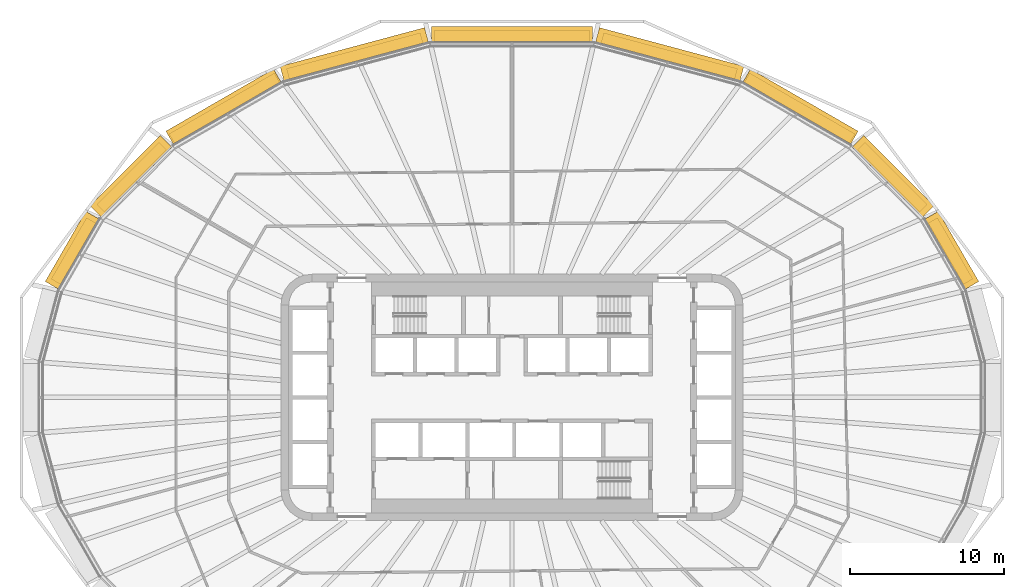
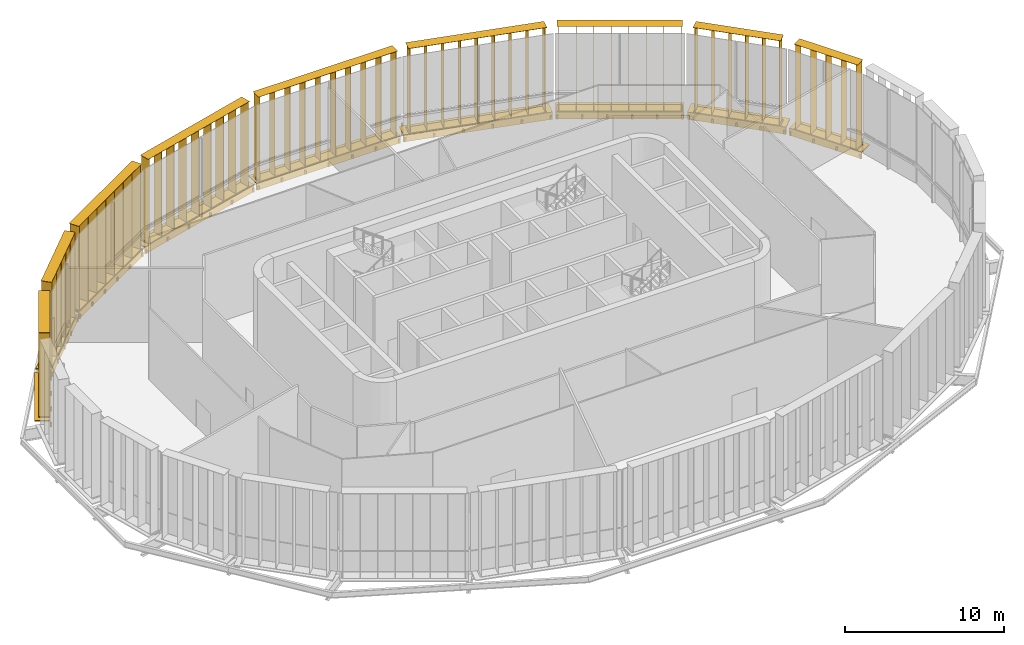
# One storey, part 18 of 18: 18 shading devices.
"""IFC4 building model written with IfcOpenShell, lengths in metres."""

from ifc_helpers import new_model, si_unit, direction, frame, origin, origin_2d, place, context, subcontext, project, spatial, rectangle, extrude, material, type_object, element, save


model = new_model("IFC4")

# Units and contexts
model_context = context("Model", 3, precision=1e-05, world=origin(), true_north=direction((0.0, 1.0)))
body_context = subcontext(model_context, "Body", "Model", "MODEL_VIEW")
ifc_project = project(units=[si_unit("LENGTHUNIT", "METRE"), si_unit("AREAUNIT", "SQUARE_METRE"), si_unit("VOLUMEUNIT", "CUBIC_METRE"), si_unit("PLANEANGLEUNIT", "RADIAN"), si_unit("MASSUNIT", "GRAM", prefix="KILO")], contexts=[model_context])

# Site, building, storey
site_placement = place(None, origin())
site = spatial("IfcSite", under=ifc_project, at=site_placement, CompositionType="ELEMENT")
building_placement = place(site_placement, origin())
building = spatial("IfcBuilding", under=site, at=building_placement, Name="Sahrelin Media Tower", CompositionType="ELEMENT")
storey_placement = place(building_placement, frame((0.0, 0.0, 203.0)))
storey = spatial("IfcBuildingStorey", under=building, at=storey_placement, Name="L43", CompositionType="ELEMENT", Elevation=203.0)

# Shading devices
ifc_material = material(Name="Champagne anodised aluminium 6063-T6", Category="aluminium")
shading_device_type_1 = type_object("IfcShadingDeviceType", Name="Fin cassette", PredefinedType="USERDEFINED", material=ifc_material)
placement_1 = place(storey_placement, frame((28.10498046875, 9.297119140625, 0.0), z_axis=(0.0, 0.0, 1.0), x_axis=(0.500011000363, -0.866019052629, 0.0)))
element("IfcShadingDevice", 1, at=placement_1, inside=storey, type_object=shading_device_type_1, Name="L43:FIN:L43-02", ObjectType="FIN", PredefinedType="USERDEFINED", context=body_context, shape_type="SweptSolid", body=[
    extrude(rectangle(XDim=4.60009765625, YDim=0.699951171875, at=origin_2d()), frame((0.0, 0.419921875, 0.0)), (0.0, 0.0, 1.0), 0.02001953125),
    extrude(rectangle(XDim=4.60009765625, YDim=0.699951171875, at=origin_2d()), frame((0.0, 0.419921875, 6.5)), (0.0, 0.0, 1.0), 0.02001953125),
    extrude(rectangle(XDim=0.02001953125, YDim=0.699951171875, at=origin_2d()), frame((-2.199951171875, 0.419921875, 0.010009765625), z_axis=(0.0, 0.0, 1.0), x_axis=(1.0, 0.0, 0.0)), (0.0, 0.0, 1.0), 6.5),
    extrude(rectangle(XDim=0.02001953125, YDim=0.699951171875, at=origin_2d()), frame((-1.10009765625, 0.419921875, 0.010009765625), z_axis=(0.0, 0.0, 1.0), x_axis=(1.0, 0.0, 0.0)), (0.0, 0.0, 1.0), 6.5),
    extrude(rectangle(XDim=0.02001953125, YDim=0.699951171875, at=origin_2d()), frame((0.0, 0.419921875, 0.010009765625), z_axis=(0.0, 0.0, 1.0), x_axis=(1.0, 0.0, 0.0)), (0.0, 0.0, 1.0), 6.5),
    extrude(rectangle(XDim=0.02001953125, YDim=0.699951171875, at=origin_2d()), frame((1.10009765625, 0.419921875, 0.010009765625), z_axis=(0.0, 0.0, 1.0), x_axis=(1.0, 0.0, 0.0)), (0.0, 0.0, 1.0), 6.5),
    extrude(rectangle(XDim=0.02001953125, YDim=0.699951171875, at=origin_2d()), frame((2.199951171875, 0.419921875, 0.010009765625), z_axis=(0.0, 0.0, 1.0), x_axis=(1.0, 0.0, 0.0)), (0.0, 0.0, 1.0), 6.5),
])
placement_2 = place(storey_placement, frame((24.3935546875, 14.00830078125, 0.0), z_axis=(0.0, 0.0, 1.0), x_axis=(0.707106781187, -0.707106781187, 0.0)))
element("IfcShadingDevice", 2, at=placement_2, inside=storey, type_object=shading_device_type_1, Name="L43:FIN:L43-03", ObjectType="FIN", PredefinedType="USERDEFINED", context=body_context, shape_type="SweptSolid", body=[
    extrude(rectangle(XDim=5.699951171875, YDim=0.699951171875, at=origin_2d()), frame((0.0, 0.419921875, 0.0)), (0.0, 0.0, 1.0), 0.02001953125),
    extrude(rectangle(XDim=5.699951171875, YDim=0.699951171875, at=origin_2d()), frame((0.0, 0.419921875, 6.5)), (0.0, 0.0, 1.0), 0.02001953125),
    extrude(rectangle(XDim=0.02001953125, YDim=0.699951171875, at=origin_2d()), frame((-2.75, 0.419921875, 0.010009765625), z_axis=(0.0, 0.0, 1.0), x_axis=(1.0, 0.0, 0.0)), (0.0, 0.0, 1.0), 6.5),
    extrude(rectangle(XDim=0.02001953125, YDim=0.699951171875, at=origin_2d()), frame((-1.64990234375, 0.419921875, 0.010009765625), z_axis=(0.0, 0.0, 1.0), x_axis=(1.0, 0.0, 0.0)), (0.0, 0.0, 1.0), 6.5),
    extrude(rectangle(XDim=0.02001953125, YDim=0.699951171875, at=origin_2d()), frame((-0.550048828125, 0.419921875, 0.010009765625), z_axis=(0.0, 0.0, 1.0), x_axis=(1.0, 0.0, 0.0)), (0.0, 0.0, 1.0), 6.5),
    extrude(rectangle(XDim=0.02001953125, YDim=0.699951171875, at=origin_2d()), frame((0.550048828125, 0.419921875, 0.010009765625), z_axis=(0.0, 0.0, 1.0), x_axis=(1.0, 0.0, 0.0)), (0.0, 0.0, 1.0), 6.5),
    extrude(rectangle(XDim=0.02001953125, YDim=0.699951171875, at=origin_2d()), frame((1.64990234375, 0.419921875, 0.010009765625), z_axis=(0.0, 0.0, 1.0), x_axis=(1.0, 0.0, 0.0)), (0.0, 0.0, 1.0), 6.5),
    extrude(rectangle(XDim=0.02001953125, YDim=0.699951171875, at=origin_2d()), frame((2.75, 0.419921875, 0.010009765625), z_axis=(0.0, 0.0, 1.0), x_axis=(1.0, 0.0, 0.0)), (0.0, 0.0, 1.0), 6.5),
])
placement_3 = place(storey_placement, frame((18.46728515625, 18.421142578125, 0.0), z_axis=(0.0, 0.0, 1.0), x_axis=(0.866019052629, -0.500011000363, 0.0)))
element("IfcShadingDevice", 3, at=placement_3, inside=storey, type_object=shading_device_type_1, Name="L43:FIN:L43-04", ObjectType="FIN", PredefinedType="USERDEFINED", context=body_context, shape_type="SweptSolid", body=[
    extrude(rectangle(XDim=7.89990234375, YDim=0.699951171875, at=origin_2d()), frame((0.0, 0.419921875, 0.0)), (0.0, 0.0, 1.0), 0.02001953125),
    extrude(rectangle(XDim=7.89990234375, YDim=0.699951171875, at=origin_2d()), frame((0.0, 0.419921875, 6.5)), (0.0, 0.0, 1.0), 0.02001953125),
    extrude(rectangle(XDim=0.02001953125, YDim=0.699951171875, at=origin_2d()), frame((-3.85009765625, 0.419921875, 0.010009765625), z_axis=(0.0, 0.0, 1.0), x_axis=(1.0, 0.0, 0.0)), (0.0, 0.0, 1.0), 6.5),
    extrude(rectangle(XDim=0.02001953125, YDim=0.699951171875, at=origin_2d()), frame((-2.75, 0.419921875, 0.010009765625), z_axis=(0.0, 0.0, 1.0), x_axis=(1.0, 0.0, 0.0)), (0.0, 0.0, 1.0), 6.5),
    extrude(rectangle(XDim=0.02001953125, YDim=0.699951171875, at=origin_2d()), frame((-1.64990234375, 0.419921875, 0.010009765625), z_axis=(0.0, 0.0, 1.0), x_axis=(1.0, 0.0, 0.0)), (0.0, 0.0, 1.0), 6.5),
    extrude(rectangle(XDim=0.02001953125, YDim=0.699951171875, at=origin_2d()), frame((-0.550048828125, 0.419921875, 0.010009765625), z_axis=(0.0, 0.0, 1.0), x_axis=(1.0, 0.0, 0.0)), (0.0, 0.0, 1.0), 6.5),
    extrude(rectangle(XDim=0.02001953125, YDim=0.699951171875, at=origin_2d()), frame((0.550048828125, 0.419921875, 0.010009765625), z_axis=(0.0, 0.0, 1.0), x_axis=(1.0, 0.0, 0.0)), (0.0, 0.0, 1.0), 6.5),
    extrude(rectangle(XDim=0.02001953125, YDim=0.699951171875, at=origin_2d()), frame((1.64990234375, 0.419921875, 0.010009765625), z_axis=(0.0, 0.0, 1.0), x_axis=(1.0, 0.0, 0.0)), (0.0, 0.0, 1.0), 6.5),
    extrude(rectangle(XDim=0.02001953125, YDim=0.699951171875, at=origin_2d()), frame((2.75, 0.419921875, 0.010009765625), z_axis=(0.0, 0.0, 1.0), x_axis=(1.0, 0.0, 0.0)), (0.0, 0.0, 1.0), 6.5),
    extrude(rectangle(XDim=0.02001953125, YDim=0.699951171875, at=origin_2d()), frame((3.85009765625, 0.419921875, 0.010009765625), z_axis=(0.0, 0.0, 1.0), x_axis=(1.0, 0.0, 0.0)), (0.0, 0.0, 1.0), 6.5),
])
placement_4 = place(storey_placement, frame((10.102294921875, 21.770263671875, 0.0), z_axis=(0.0, 0.0, 1.0), x_axis=(0.965928857556, -0.258807731996, 0.0)))
element("IfcShadingDevice", 4, at=placement_4, inside=storey, type_object=shading_device_type_1, Name="L43:FIN:L43-05", ObjectType="FIN", PredefinedType="USERDEFINED", context=body_context, shape_type="SweptSolid", body=[
    extrude(rectangle(XDim=9.0, YDim=0.699951171875, at=origin_2d()), frame((0.0, 0.419921875, 0.0)), (0.0, 0.0, 1.0), 0.02001953125),
    extrude(rectangle(XDim=9.0, YDim=0.699951171875, at=origin_2d()), frame((0.0, 0.419921875, 6.5)), (0.0, 0.0, 1.0), 0.02001953125),
    extrude(rectangle(XDim=0.02001953125, YDim=0.699951171875, at=origin_2d()), frame((-4.39990234375, 0.419921875, 0.010009765625), z_axis=(0.0, 0.0, 1.0), x_axis=(1.0, 0.0, 0.0)), (0.0, 0.0, 1.0), 6.5),
    extrude(rectangle(XDim=0.02001953125, YDim=0.699951171875, at=origin_2d()), frame((-3.300048828125, 0.419921875, 0.010009765625), z_axis=(0.0, 0.0, 1.0), x_axis=(1.0, 0.0, 0.0)), (0.0, 0.0, 1.0), 6.5),
    extrude(rectangle(XDim=0.02001953125, YDim=0.699951171875, at=origin_2d()), frame((-2.199951171875, 0.419921875, 0.010009765625), z_axis=(0.0, 0.0, 1.0), x_axis=(1.0, 0.0, 0.0)), (0.0, 0.0, 1.0), 6.5),
    extrude(rectangle(XDim=0.02001953125, YDim=0.699951171875, at=origin_2d()), frame((-1.10009765625, 0.419921875, 0.010009765625), z_axis=(0.0, 0.0, 1.0), x_axis=(1.0, 0.0, 0.0)), (0.0, 0.0, 1.0), 6.5),
    extrude(rectangle(XDim=0.02001953125, YDim=0.699951171875, at=origin_2d()), frame((0.0, 0.419921875, 0.010009765625), z_axis=(0.0, 0.0, 1.0), x_axis=(1.0, 0.0, 0.0)), (0.0, 0.0, 1.0), 6.5),
    extrude(rectangle(XDim=0.02001953125, YDim=0.699951171875, at=origin_2d()), frame((1.10009765625, 0.419921875, 0.010009765625), z_axis=(0.0, 0.0, 1.0), x_axis=(1.0, 0.0, 0.0)), (0.0, 0.0, 1.0), 6.5),
    extrude(rectangle(XDim=0.02001953125, YDim=0.699951171875, at=origin_2d()), frame((2.199951171875, 0.419921875, 0.010009765625), z_axis=(0.0, 0.0, 1.0), x_axis=(1.0, 0.0, 0.0)), (0.0, 0.0, 1.0), 6.5),
    extrude(rectangle(XDim=0.02001953125, YDim=0.699951171875, at=origin_2d()), frame((3.300048828125, 0.419921875, 0.010009765625), z_axis=(0.0, 0.0, 1.0), x_axis=(1.0, 0.0, 0.0)), (0.0, 0.0, 1.0), 6.5),
    extrude(rectangle(XDim=0.02001953125, YDim=0.699951171875, at=origin_2d()), frame((4.39990234375, 0.419921875, 0.010009765625), z_axis=(0.0, 0.0, 1.0), x_axis=(1.0, 0.0, 0.0)), (0.0, 0.0, 1.0), 6.5),
])
placement_5 = place(storey_placement, frame((0.0, 23.052490234375, 0.0), z_axis=(0.0, 0.0, 1.0), x_axis=(1.0, 0.0, 0.0)))
element("IfcShadingDevice", 5, at=placement_5, inside=storey, type_object=shading_device_type_1, Name="L43:FIN:L43-06", ObjectType="FIN", PredefinedType="USERDEFINED", context=body_context, shape_type="SweptSolid", body=[
    extrude(rectangle(XDim=10.10009765625, YDim=0.699951171875, at=origin_2d()), frame((0.0, 0.419921875, 0.0)), (0.0, 0.0, 1.0), 0.02001953125),
    extrude(rectangle(XDim=10.10009765625, YDim=0.699951171875, at=origin_2d()), frame((0.0, 0.419921875, 6.5)), (0.0, 0.0, 1.0), 0.02001953125),
    extrude(rectangle(XDim=0.02001953125, YDim=0.699951171875, at=origin_2d()), frame((-4.949951171875, 0.419921875, 0.010009765625), z_axis=(0.0, 0.0, 1.0), x_axis=(1.0, 0.0, 0.0)), (0.0, 0.0, 1.0), 6.5),
    extrude(rectangle(XDim=0.02001953125, YDim=0.699951171875, at=origin_2d()), frame((-3.85009765625, 0.419921875, 0.010009765625), z_axis=(0.0, 0.0, 1.0), x_axis=(1.0, 0.0, 0.0)), (0.0, 0.0, 1.0), 6.5),
    extrude(rectangle(XDim=0.02001953125, YDim=0.699951171875, at=origin_2d()), frame((-2.75, 0.419921875, 0.010009765625), z_axis=(0.0, 0.0, 1.0), x_axis=(1.0, 0.0, 0.0)), (0.0, 0.0, 1.0), 6.5),
    extrude(rectangle(XDim=0.02001953125, YDim=0.699951171875, at=origin_2d()), frame((-1.64990234375, 0.419921875, 0.010009765625), z_axis=(0.0, 0.0, 1.0), x_axis=(1.0, 0.0, 0.0)), (0.0, 0.0, 1.0), 6.5),
    extrude(rectangle(XDim=0.02001953125, YDim=0.699951171875, at=origin_2d()), frame((-0.550048828125, 0.419921875, 0.010009765625), z_axis=(0.0, 0.0, 1.0), x_axis=(1.0, 0.0, 0.0)), (0.0, 0.0, 1.0), 6.5),
    extrude(rectangle(XDim=0.02001953125, YDim=0.699951171875, at=origin_2d()), frame((0.550048828125, 0.419921875, 0.010009765625), z_axis=(0.0, 0.0, 1.0), x_axis=(1.0, 0.0, 0.0)), (0.0, 0.0, 1.0), 6.5),
    extrude(rectangle(XDim=0.02001953125, YDim=0.699951171875, at=origin_2d()), frame((1.64990234375, 0.419921875, 0.010009765625), z_axis=(0.0, 0.0, 1.0), x_axis=(1.0, 0.0, 0.0)), (0.0, 0.0, 1.0), 6.5),
    extrude(rectangle(XDim=0.02001953125, YDim=0.699951171875, at=origin_2d()), frame((2.75, 0.419921875, 0.010009765625), z_axis=(0.0, 0.0, 1.0), x_axis=(1.0, 0.0, 0.0)), (0.0, 0.0, 1.0), 6.5),
    extrude(rectangle(XDim=0.02001953125, YDim=0.699951171875, at=origin_2d()), frame((3.85009765625, 0.419921875, 0.010009765625), z_axis=(0.0, 0.0, 1.0), x_axis=(1.0, 0.0, 0.0)), (0.0, 0.0, 1.0), 6.5),
    extrude(rectangle(XDim=0.02001953125, YDim=0.699951171875, at=origin_2d()), frame((4.949951171875, 0.419921875, 0.010009765625), z_axis=(0.0, 0.0, 1.0), x_axis=(1.0, 0.0, 0.0)), (0.0, 0.0, 1.0), 6.5),
])
placement_6 = place(storey_placement, frame((-10.102294921875, 21.7705078125, 0.0), z_axis=(0.0, 0.0, 1.0), x_axis=(0.965928857556, 0.258807731996, 0.0)))
element("IfcShadingDevice", 6, at=placement_6, inside=storey, type_object=shading_device_type_1, Name="L43:FIN:L43-07", ObjectType="FIN", PredefinedType="USERDEFINED", context=body_context, shape_type="SweptSolid", body=[
    extrude(rectangle(XDim=9.0, YDim=0.699951171875, at=origin_2d()), frame((0.0, 0.419921875, 0.0)), (0.0, 0.0, 1.0), 0.02001953125),
    extrude(rectangle(XDim=9.0, YDim=0.699951171875, at=origin_2d()), frame((0.0, 0.419921875, 6.5)), (0.0, 0.0, 1.0), 0.02001953125),
    extrude(rectangle(XDim=0.02001953125, YDim=0.699951171875, at=origin_2d()), frame((-4.39990234375, 0.419921875, 0.010009765625), z_axis=(0.0, 0.0, 1.0), x_axis=(1.0, 0.0, 0.0)), (0.0, 0.0, 1.0), 6.5),
    extrude(rectangle(XDim=0.02001953125, YDim=0.699951171875, at=origin_2d()), frame((-3.300048828125, 0.419921875, 0.010009765625), z_axis=(0.0, 0.0, 1.0), x_axis=(1.0, 0.0, 0.0)), (0.0, 0.0, 1.0), 6.5),
    extrude(rectangle(XDim=0.02001953125, YDim=0.699951171875, at=origin_2d()), frame((-2.199951171875, 0.419921875, 0.010009765625), z_axis=(0.0, 0.0, 1.0), x_axis=(1.0, 0.0, 0.0)), (0.0, 0.0, 1.0), 6.5),
    extrude(rectangle(XDim=0.02001953125, YDim=0.699951171875, at=origin_2d()), frame((-1.10009765625, 0.419921875, 0.010009765625), z_axis=(0.0, 0.0, 1.0), x_axis=(1.0, 0.0, 0.0)), (0.0, 0.0, 1.0), 6.5),
    extrude(rectangle(XDim=0.02001953125, YDim=0.699951171875, at=origin_2d()), frame((0.0, 0.419921875, 0.010009765625), z_axis=(0.0, 0.0, 1.0), x_axis=(1.0, 0.0, 0.0)), (0.0, 0.0, 1.0), 6.5),
    extrude(rectangle(XDim=0.02001953125, YDim=0.699951171875, at=origin_2d()), frame((1.10009765625, 0.419921875, 0.010009765625), z_axis=(0.0, 0.0, 1.0), x_axis=(1.0, 0.0, 0.0)), (0.0, 0.0, 1.0), 6.5),
    extrude(rectangle(XDim=0.02001953125, YDim=0.699951171875, at=origin_2d()), frame((2.199951171875, 0.419921875, 0.010009765625), z_axis=(0.0, 0.0, 1.0), x_axis=(1.0, 0.0, 0.0)), (0.0, 0.0, 1.0), 6.5),
    extrude(rectangle(XDim=0.02001953125, YDim=0.699951171875, at=origin_2d()), frame((3.300048828125, 0.419921875, 0.010009765625), z_axis=(0.0, 0.0, 1.0), x_axis=(1.0, 0.0, 0.0)), (0.0, 0.0, 1.0), 6.5),
    extrude(rectangle(XDim=0.02001953125, YDim=0.699951171875, at=origin_2d()), frame((4.39990234375, 0.419921875, 0.010009765625), z_axis=(0.0, 0.0, 1.0), x_axis=(1.0, 0.0, 0.0)), (0.0, 0.0, 1.0), 6.5),
])
placement_7 = place(storey_placement, frame((-18.46728515625, 18.421142578125, 0.0), z_axis=(0.0, 0.0, 1.0), x_axis=(0.866019052629, 0.500011000363, 0.0)))
element("IfcShadingDevice", 7, at=placement_7, inside=storey, type_object=shading_device_type_1, Name="L43:FIN:L43-08", ObjectType="FIN", PredefinedType="USERDEFINED", context=body_context, shape_type="SweptSolid", body=[
    extrude(rectangle(XDim=7.89990234375, YDim=0.699951171875, at=origin_2d()), frame((0.0, 0.419921875, 0.0)), (0.0, 0.0, 1.0), 0.02001953125),
    extrude(rectangle(XDim=7.89990234375, YDim=0.699951171875, at=origin_2d()), frame((0.0, 0.419921875, 6.5)), (0.0, 0.0, 1.0), 0.02001953125),
    extrude(rectangle(XDim=0.02001953125, YDim=0.699951171875, at=origin_2d()), frame((-3.85009765625, 0.419921875, 0.010009765625), z_axis=(0.0, 0.0, 1.0), x_axis=(1.0, 0.0, 0.0)), (0.0, 0.0, 1.0), 6.5),
    extrude(rectangle(XDim=0.02001953125, YDim=0.699951171875, at=origin_2d()), frame((-2.75, 0.419921875, 0.010009765625), z_axis=(0.0, 0.0, 1.0), x_axis=(1.0, 0.0, 0.0)), (0.0, 0.0, 1.0), 6.5),
    extrude(rectangle(XDim=0.02001953125, YDim=0.699951171875, at=origin_2d()), frame((-1.64990234375, 0.419921875, 0.010009765625), z_axis=(0.0, 0.0, 1.0), x_axis=(1.0, 0.0, 0.0)), (0.0, 0.0, 1.0), 6.5),
    extrude(rectangle(XDim=0.02001953125, YDim=0.699951171875, at=origin_2d()), frame((-0.550048828125, 0.419921875, 0.010009765625), z_axis=(0.0, 0.0, 1.0), x_axis=(1.0, 0.0, 0.0)), (0.0, 0.0, 1.0), 6.5),
    extrude(rectangle(XDim=0.02001953125, YDim=0.699951171875, at=origin_2d()), frame((0.550048828125, 0.419921875, 0.010009765625), z_axis=(0.0, 0.0, 1.0), x_axis=(1.0, 0.0, 0.0)), (0.0, 0.0, 1.0), 6.5),
    extrude(rectangle(XDim=0.02001953125, YDim=0.699951171875, at=origin_2d()), frame((1.64990234375, 0.419921875, 0.010009765625), z_axis=(0.0, 0.0, 1.0), x_axis=(1.0, 0.0, 0.0)), (0.0, 0.0, 1.0), 6.5),
    extrude(rectangle(XDim=0.02001953125, YDim=0.699951171875, at=origin_2d()), frame((2.75, 0.419921875, 0.010009765625), z_axis=(0.0, 0.0, 1.0), x_axis=(1.0, 0.0, 0.0)), (0.0, 0.0, 1.0), 6.5),
    extrude(rectangle(XDim=0.02001953125, YDim=0.699951171875, at=origin_2d()), frame((3.85009765625, 0.419921875, 0.010009765625), z_axis=(0.0, 0.0, 1.0), x_axis=(1.0, 0.0, 0.0)), (0.0, 0.0, 1.0), 6.5),
])
placement_8 = place(storey_placement, frame((-24.3935546875, 14.00830078125, 0.0), z_axis=(0.0, 0.0, 1.0), x_axis=(0.707106781187, 0.707106781187, 0.0)))
element("IfcShadingDevice", 8, at=placement_8, inside=storey, type_object=shading_device_type_1, Name="L43:FIN:L43-09", ObjectType="FIN", PredefinedType="USERDEFINED", context=body_context, shape_type="SweptSolid", body=[
    extrude(rectangle(XDim=5.699951171875, YDim=0.699951171875, at=origin_2d()), frame((0.0, 0.419921875, 0.0)), (0.0, 0.0, 1.0), 0.02001953125),
    extrude(rectangle(XDim=5.699951171875, YDim=0.699951171875, at=origin_2d()), frame((0.0, 0.419921875, 6.5)), (0.0, 0.0, 1.0), 0.02001953125),
    extrude(rectangle(XDim=0.02001953125, YDim=0.699951171875, at=origin_2d()), frame((-2.75, 0.419921875, 0.010009765625), z_axis=(0.0, 0.0, 1.0), x_axis=(1.0, 0.0, 0.0)), (0.0, 0.0, 1.0), 6.5),
    extrude(rectangle(XDim=0.02001953125, YDim=0.699951171875, at=origin_2d()), frame((-1.64990234375, 0.419921875, 0.010009765625), z_axis=(0.0, 0.0, 1.0), x_axis=(1.0, 0.0, 0.0)), (0.0, 0.0, 1.0), 6.5),
    extrude(rectangle(XDim=0.02001953125, YDim=0.699951171875, at=origin_2d()), frame((-0.550048828125, 0.419921875, 0.010009765625), z_axis=(0.0, 0.0, 1.0), x_axis=(1.0, 0.0, 0.0)), (0.0, 0.0, 1.0), 6.5),
    extrude(rectangle(XDim=0.02001953125, YDim=0.699951171875, at=origin_2d()), frame((0.550048828125, 0.419921875, 0.010009765625), z_axis=(0.0, 0.0, 1.0), x_axis=(1.0, 0.0, 0.0)), (0.0, 0.0, 1.0), 6.5),
    extrude(rectangle(XDim=0.02001953125, YDim=0.699951171875, at=origin_2d()), frame((1.64990234375, 0.419921875, 0.010009765625), z_axis=(0.0, 0.0, 1.0), x_axis=(1.0, 0.0, 0.0)), (0.0, 0.0, 1.0), 6.5),
    extrude(rectangle(XDim=0.02001953125, YDim=0.699951171875, at=origin_2d()), frame((2.75, 0.419921875, 0.010009765625), z_axis=(0.0, 0.0, 1.0), x_axis=(1.0, 0.0, 0.0)), (0.0, 0.0, 1.0), 6.5),
])
placement_9 = place(storey_placement, frame((-28.10498046875, 9.297119140625, 0.0), z_axis=(0.0, 0.0, 1.0), x_axis=(0.500011000363, 0.866019052629, 0.0)))
element("IfcShadingDevice", 9, at=placement_9, inside=storey, type_object=shading_device_type_1, Name="L43:FIN:L43-10", ObjectType="FIN", PredefinedType="USERDEFINED", context=body_context, shape_type="SweptSolid", body=[
    extrude(rectangle(XDim=4.60009765625, YDim=0.699951171875, at=origin_2d()), frame((0.0, 0.419921875, 0.0)), (0.0, 0.0, 1.0), 0.02001953125),
    extrude(rectangle(XDim=4.60009765625, YDim=0.699951171875, at=origin_2d()), frame((0.0, 0.419921875, 6.5)), (0.0, 0.0, 1.0), 0.02001953125),
    extrude(rectangle(XDim=0.02001953125, YDim=0.699951171875, at=origin_2d()), frame((-2.199951171875, 0.419921875, 0.010009765625), z_axis=(0.0, 0.0, 1.0), x_axis=(1.0, 0.0, 0.0)), (0.0, 0.0, 1.0), 6.5),
    extrude(rectangle(XDim=0.02001953125, YDim=0.699951171875, at=origin_2d()), frame((-1.10009765625, 0.419921875, 0.010009765625), z_axis=(0.0, 0.0, 1.0), x_axis=(1.0, 0.0, 0.0)), (0.0, 0.0, 1.0), 6.5),
    extrude(rectangle(XDim=0.02001953125, YDim=0.699951171875, at=origin_2d()), frame((0.0, 0.419921875, 0.010009765625), z_axis=(0.0, 0.0, 1.0), x_axis=(1.0, 0.0, 0.0)), (0.0, 0.0, 1.0), 6.5),
    extrude(rectangle(XDim=0.02001953125, YDim=0.699951171875, at=origin_2d()), frame((1.10009765625, 0.419921875, 0.010009765625), z_axis=(0.0, 0.0, 1.0), x_axis=(1.0, 0.0, 0.0)), (0.0, 0.0, 1.0), 6.5),
    extrude(rectangle(XDim=0.02001953125, YDim=0.699951171875, at=origin_2d()), frame((2.199951171875, 0.419921875, 0.010009765625), z_axis=(0.0, 0.0, 1.0), x_axis=(1.0, 0.0, 0.0)), (0.0, 0.0, 1.0), 6.5),
])
shading_device_type_2 = type_object("IfcShadingDeviceType", Name="Sunshade band", PredefinedType="USERDEFINED", material=ifc_material)
element("IfcShadingDevice", 10, at=placement_1, inside=storey, type_object=shading_device_type_2, Name="L43:SUN:L43-02", ObjectType="SUNSHADE", PredefinedType="USERDEFINED", context=body_context, shape_type="SweptSolid", body=[
    extrude(rectangle(XDim=5.261962890625, YDim=0.050048828125, at=origin_2d()), frame((0.0, 0.044921875, -0.55126953125)), (0.0, 0.0, 1.0), 0.471435546875),
    extrude(rectangle(XDim=5.261962890625, YDim=1.0, at=origin_2d()), frame((0.0, 0.52001953125, -0.080078125)), (0.0, 0.0, 1.0), 0.080078125),
    extrude(rectangle(XDim=0.10009765625, YDim=0.074951171875, at=origin_2d()), frame((-2.531005859375, -0.017578125, -0.52001953125)), (0.0, 0.0, 1.0), 0.300048828125),
    extrude(rectangle(XDim=0.10009765625, YDim=0.074951171875, at=origin_2d()), frame((-0.84375, -0.017578125, -0.52001953125)), (0.0, 0.0, 1.0), 0.300048828125),
    extrude(rectangle(XDim=0.10009765625, YDim=0.074951171875, at=origin_2d()), frame((0.84375, -0.017578125, -0.52001953125)), (0.0, 0.0, 1.0), 0.300048828125),
    extrude(rectangle(XDim=0.10009765625, YDim=0.074951171875, at=origin_2d()), frame((2.531005859375, -0.017578125, -0.52001953125)), (0.0, 0.0, 1.0), 0.300048828125),
])
element("IfcShadingDevice", 11, at=placement_2, inside=storey, type_object=shading_device_type_2, Name="L43:SUN:L43-03", ObjectType="SUNSHADE", PredefinedType="USERDEFINED", context=body_context, shape_type="SweptSolid", body=[
    extrude(rectangle(XDim=6.435302734375, YDim=0.050048828125, at=origin_2d()), frame((0.0, 0.044921875, -0.55126953125)), (0.0, 0.0, 1.0), 0.471435546875),
    extrude(rectangle(XDim=6.435302734375, YDim=1.0, at=origin_2d()), frame((0.0, 0.52001953125, -0.080078125)), (0.0, 0.0, 1.0), 0.080078125),
    extrude(rectangle(XDim=0.10009765625, YDim=0.074951171875, at=origin_2d()), frame((-3.11767578125, -0.017578125, -0.52001953125)), (0.0, 0.0, 1.0), 0.300048828125),
    extrude(rectangle(XDim=0.10009765625, YDim=0.074951171875, at=origin_2d()), frame((-1.558837890625, -0.017578125, -0.52001953125)), (0.0, 0.0, 1.0), 0.300048828125),
    extrude(rectangle(XDim=0.10009765625, YDim=0.074951171875, at=origin_2d()), frame((0.0, -0.017578125, -0.52001953125)), (0.0, 0.0, 1.0), 0.300048828125),
    extrude(rectangle(XDim=0.10009765625, YDim=0.074951171875, at=origin_2d()), frame((1.558837890625, -0.017578125, -0.52001953125)), (0.0, 0.0, 1.0), 0.300048828125),
    extrude(rectangle(XDim=0.10009765625, YDim=0.074951171875, at=origin_2d()), frame((3.11767578125, -0.017578125, -0.52001953125)), (0.0, 0.0, 1.0), 0.300048828125),
])
element("IfcShadingDevice", 12, at=placement_3, inside=storey, type_object=shading_device_type_2, Name="L43:SUN:L43-04", ObjectType="SUNSHADE", PredefinedType="USERDEFINED", context=body_context, shape_type="SweptSolid", body=[
    extrude(rectangle(XDim=8.068359375, YDim=0.050048828125, at=origin_2d()), frame((0.0, 0.044921875, -0.55126953125)), (0.0, 0.0, 1.0), 0.471435546875),
    extrude(rectangle(XDim=8.068359375, YDim=1.0, at=origin_2d()), frame((0.0, 0.52001953125, -0.080078125)), (0.0, 0.0, 1.0), 0.080078125),
    extrude(rectangle(XDim=0.10009765625, YDim=0.074951171875, at=origin_2d()), frame((-3.93408203125, -0.017578125, -0.52001953125)), (0.0, 0.0, 1.0), 0.300048828125),
    extrude(rectangle(XDim=0.10009765625, YDim=0.074951171875, at=origin_2d()), frame((-2.360595703125, -0.017578125, -0.52001953125)), (0.0, 0.0, 1.0), 0.300048828125),
    extrude(rectangle(XDim=0.10009765625, YDim=0.074951171875, at=origin_2d()), frame((-0.786865234375, -0.017578125, -0.52001953125)), (0.0, 0.0, 1.0), 0.300048828125),
    extrude(rectangle(XDim=0.10009765625, YDim=0.074951171875, at=origin_2d()), frame((0.786865234375, -0.017578125, -0.52001953125)), (0.0, 0.0, 1.0), 0.300048828125),
    extrude(rectangle(XDim=0.10009765625, YDim=0.074951171875, at=origin_2d()), frame((2.360595703125, -0.017578125, -0.52001953125)), (0.0, 0.0, 1.0), 0.300048828125),
    extrude(rectangle(XDim=0.10009765625, YDim=0.074951171875, at=origin_2d()), frame((3.93408203125, -0.017578125, -0.52001953125)), (0.0, 0.0, 1.0), 0.300048828125),
])
element("IfcShadingDevice", 13, at=placement_4, inside=storey, type_object=shading_device_type_2, Name="L43:SUN:L43-05", ObjectType="SUNSHADE", PredefinedType="USERDEFINED", context=body_context, shape_type="SweptSolid", body=[
    extrude(rectangle(XDim=9.706787109375, YDim=0.050048828125, at=origin_2d()), frame((0.0, 0.044921875, -0.55126953125)), (0.0, 0.0, 1.0), 0.471435546875),
    extrude(rectangle(XDim=9.706787109375, YDim=1.0, at=origin_2d()), frame((0.0, 0.52001953125, -0.080078125)), (0.0, 0.0, 1.0), 0.080078125),
    extrude(rectangle(XDim=0.10009765625, YDim=0.074951171875, at=origin_2d()), frame((-4.75341796875, -0.017578125, -0.52001953125)), (0.0, 0.0, 1.0), 0.300048828125),
    extrude(rectangle(XDim=0.10009765625, YDim=0.074951171875, at=origin_2d()), frame((-2.85205078125, -0.017578125, -0.52001953125)), (0.0, 0.0, 1.0), 0.300048828125),
    extrude(rectangle(XDim=0.10009765625, YDim=0.074951171875, at=origin_2d()), frame((-0.95068359375, -0.017578125, -0.52001953125)), (0.0, 0.0, 1.0), 0.300048828125),
    extrude(rectangle(XDim=0.10009765625, YDim=0.074951171875, at=origin_2d()), frame((0.95068359375, -0.017578125, -0.52001953125)), (0.0, 0.0, 1.0), 0.300048828125),
    extrude(rectangle(XDim=0.10009765625, YDim=0.074951171875, at=origin_2d()), frame((2.85205078125, -0.017578125, -0.52001953125)), (0.0, 0.0, 1.0), 0.300048828125),
    extrude(rectangle(XDim=0.10009765625, YDim=0.074951171875, at=origin_2d()), frame((4.75341796875, -0.017578125, -0.52001953125)), (0.0, 0.0, 1.0), 0.300048828125),
])
element("IfcShadingDevice", 14, at=placement_5, inside=storey, type_object=shading_device_type_2, Name="L43:SUN:L43-06", ObjectType="SUNSHADE", PredefinedType="USERDEFINED", context=body_context, shape_type="SweptSolid", body=[
    extrude(rectangle(XDim=10.435546875, YDim=0.050048828125, at=origin_2d()), frame((0.0, 0.044921875, -0.55126953125)), (0.0, 0.0, 1.0), 0.471435546875),
    extrude(rectangle(XDim=10.435546875, YDim=1.0, at=origin_2d()), frame((0.0, 0.52001953125, -0.080078125)), (0.0, 0.0, 1.0), 0.080078125),
    extrude(rectangle(XDim=0.10009765625, YDim=0.074951171875, at=origin_2d()), frame((-5.117919921875, -0.017578125, -0.52001953125)), (0.0, 0.0, 1.0), 0.300048828125),
    extrude(rectangle(XDim=0.10009765625, YDim=0.074951171875, at=origin_2d()), frame((-3.411865234375, -0.017578125, -0.52001953125)), (0.0, 0.0, 1.0), 0.300048828125),
    extrude(rectangle(XDim=0.10009765625, YDim=0.074951171875, at=origin_2d()), frame((-1.705810546875, -0.017578125, -0.52001953125)), (0.0, 0.0, 1.0), 0.300048828125),
    extrude(rectangle(XDim=0.10009765625, YDim=0.074951171875, at=origin_2d()), frame((0.0, -0.017578125, -0.52001953125)), (0.0, 0.0, 1.0), 0.300048828125),
    extrude(rectangle(XDim=0.10009765625, YDim=0.074951171875, at=origin_2d()), frame((1.705810546875, -0.017578125, -0.52001953125)), (0.0, 0.0, 1.0), 0.300048828125),
    extrude(rectangle(XDim=0.10009765625, YDim=0.074951171875, at=origin_2d()), frame((3.411865234375, -0.017578125, -0.52001953125)), (0.0, 0.0, 1.0), 0.300048828125),
    extrude(rectangle(XDim=0.10009765625, YDim=0.074951171875, at=origin_2d()), frame((5.117919921875, -0.017578125, -0.52001953125)), (0.0, 0.0, 1.0), 0.300048828125),
])
element("IfcShadingDevice", 15, at=placement_6, inside=storey, type_object=shading_device_type_2, Name="L43:SUN:L43-07", ObjectType="SUNSHADE", PredefinedType="USERDEFINED", context=body_context, shape_type="SweptSolid", body=[
    extrude(rectangle(XDim=9.706787109375, YDim=0.050048828125, at=origin_2d()), frame((0.0, 0.044921875, -0.55126953125)), (0.0, 0.0, 1.0), 0.471435546875),
    extrude(rectangle(XDim=9.706787109375, YDim=1.0, at=origin_2d()), frame((0.0, 0.52001953125, -0.080078125)), (0.0, 0.0, 1.0), 0.080078125),
    extrude(rectangle(XDim=0.10009765625, YDim=0.074951171875, at=origin_2d()), frame((-4.75341796875, -0.017578125, -0.52001953125)), (0.0, 0.0, 1.0), 0.300048828125),
    extrude(rectangle(XDim=0.10009765625, YDim=0.074951171875, at=origin_2d()), frame((-2.85205078125, -0.017578125, -0.52001953125)), (0.0, 0.0, 1.0), 0.300048828125),
    extrude(rectangle(XDim=0.10009765625, YDim=0.074951171875, at=origin_2d()), frame((-0.95068359375, -0.017578125, -0.52001953125)), (0.0, 0.0, 1.0), 0.300048828125),
    extrude(rectangle(XDim=0.10009765625, YDim=0.074951171875, at=origin_2d()), frame((0.95068359375, -0.017578125, -0.52001953125)), (0.0, 0.0, 1.0), 0.300048828125),
    extrude(rectangle(XDim=0.10009765625, YDim=0.074951171875, at=origin_2d()), frame((2.85205078125, -0.017578125, -0.52001953125)), (0.0, 0.0, 1.0), 0.300048828125),
    extrude(rectangle(XDim=0.10009765625, YDim=0.074951171875, at=origin_2d()), frame((4.75341796875, -0.017578125, -0.52001953125)), (0.0, 0.0, 1.0), 0.300048828125),
])
element("IfcShadingDevice", 16, at=placement_7, inside=storey, type_object=shading_device_type_2, Name="L43:SUN:L43-08", ObjectType="SUNSHADE", PredefinedType="USERDEFINED", context=body_context, shape_type="SweptSolid", body=[
    extrude(rectangle(XDim=8.068359375, YDim=0.050048828125, at=origin_2d()), frame((0.0, 0.044921875, -0.55126953125)), (0.0, 0.0, 1.0), 0.471435546875),
    extrude(rectangle(XDim=8.068359375, YDim=1.0, at=origin_2d()), frame((0.0, 0.52001953125, -0.080078125)), (0.0, 0.0, 1.0), 0.080078125),
    extrude(rectangle(XDim=0.10009765625, YDim=0.074951171875, at=origin_2d()), frame((-3.93408203125, -0.017578125, -0.52001953125)), (0.0, 0.0, 1.0), 0.300048828125),
    extrude(rectangle(XDim=0.10009765625, YDim=0.074951171875, at=origin_2d()), frame((-2.360595703125, -0.017578125, -0.52001953125)), (0.0, 0.0, 1.0), 0.300048828125),
    extrude(rectangle(XDim=0.10009765625, YDim=0.074951171875, at=origin_2d()), frame((-0.786865234375, -0.017578125, -0.52001953125)), (0.0, 0.0, 1.0), 0.300048828125),
    extrude(rectangle(XDim=0.10009765625, YDim=0.074951171875, at=origin_2d()), frame((0.786865234375, -0.017578125, -0.52001953125)), (0.0, 0.0, 1.0), 0.300048828125),
    extrude(rectangle(XDim=0.10009765625, YDim=0.074951171875, at=origin_2d()), frame((2.360595703125, -0.017578125, -0.52001953125)), (0.0, 0.0, 1.0), 0.300048828125),
    extrude(rectangle(XDim=0.10009765625, YDim=0.074951171875, at=origin_2d()), frame((3.93408203125, -0.017578125, -0.52001953125)), (0.0, 0.0, 1.0), 0.300048828125),
])
element("IfcShadingDevice", 17, at=placement_8, inside=storey, type_object=shading_device_type_2, Name="L43:SUN:L43-09", ObjectType="SUNSHADE", PredefinedType="USERDEFINED", context=body_context, shape_type="SweptSolid", body=[
    extrude(rectangle(XDim=6.435302734375, YDim=0.050048828125, at=origin_2d()), frame((0.0, 0.044921875, -0.55126953125)), (0.0, 0.0, 1.0), 0.471435546875),
    extrude(rectangle(XDim=6.435302734375, YDim=1.0, at=origin_2d()), frame((0.0, 0.52001953125, -0.080078125)), (0.0, 0.0, 1.0), 0.080078125),
    extrude(rectangle(XDim=0.10009765625, YDim=0.074951171875, at=origin_2d()), frame((-3.11767578125, -0.017578125, -0.52001953125)), (0.0, 0.0, 1.0), 0.300048828125),
    extrude(rectangle(XDim=0.10009765625, YDim=0.074951171875, at=origin_2d()), frame((-1.558837890625, -0.017578125, -0.52001953125)), (0.0, 0.0, 1.0), 0.300048828125),
    extrude(rectangle(XDim=0.10009765625, YDim=0.074951171875, at=origin_2d()), frame((0.0, -0.017578125, -0.52001953125)), (0.0, 0.0, 1.0), 0.300048828125),
    extrude(rectangle(XDim=0.10009765625, YDim=0.074951171875, at=origin_2d()), frame((1.558837890625, -0.017578125, -0.52001953125)), (0.0, 0.0, 1.0), 0.300048828125),
    extrude(rectangle(XDim=0.10009765625, YDim=0.074951171875, at=origin_2d()), frame((3.11767578125, -0.017578125, -0.52001953125)), (0.0, 0.0, 1.0), 0.300048828125),
])
element("IfcShadingDevice", 18, at=placement_9, inside=storey, type_object=shading_device_type_2, Name="L43:SUN:L43-10", ObjectType="SUNSHADE", PredefinedType="USERDEFINED", context=body_context, shape_type="SweptSolid", body=[
    extrude(rectangle(XDim=5.261962890625, YDim=0.050048828125, at=origin_2d()), frame((0.0, 0.044921875, -0.55126953125)), (0.0, 0.0, 1.0), 0.471435546875),
    extrude(rectangle(XDim=5.261962890625, YDim=1.0, at=origin_2d()), frame((0.0, 0.52001953125, -0.080078125)), (0.0, 0.0, 1.0), 0.080078125),
    extrude(rectangle(XDim=0.10009765625, YDim=0.074951171875, at=origin_2d()), frame((-2.531005859375, -0.017578125, -0.52001953125)), (0.0, 0.0, 1.0), 0.300048828125),
    extrude(rectangle(XDim=0.10009765625, YDim=0.074951171875, at=origin_2d()), frame((-0.84375, -0.017578125, -0.52001953125)), (0.0, 0.0, 1.0), 0.300048828125),
    extrude(rectangle(XDim=0.10009765625, YDim=0.074951171875, at=origin_2d()), frame((0.84375, -0.017578125, -0.52001953125)), (0.0, 0.0, 1.0), 0.300048828125),
    extrude(rectangle(XDim=0.10009765625, YDim=0.074951171875, at=origin_2d()), frame((2.531005859375, -0.017578125, -0.52001953125)), (0.0, 0.0, 1.0), 0.300048828125),
])

save(model, "model.ifc")
